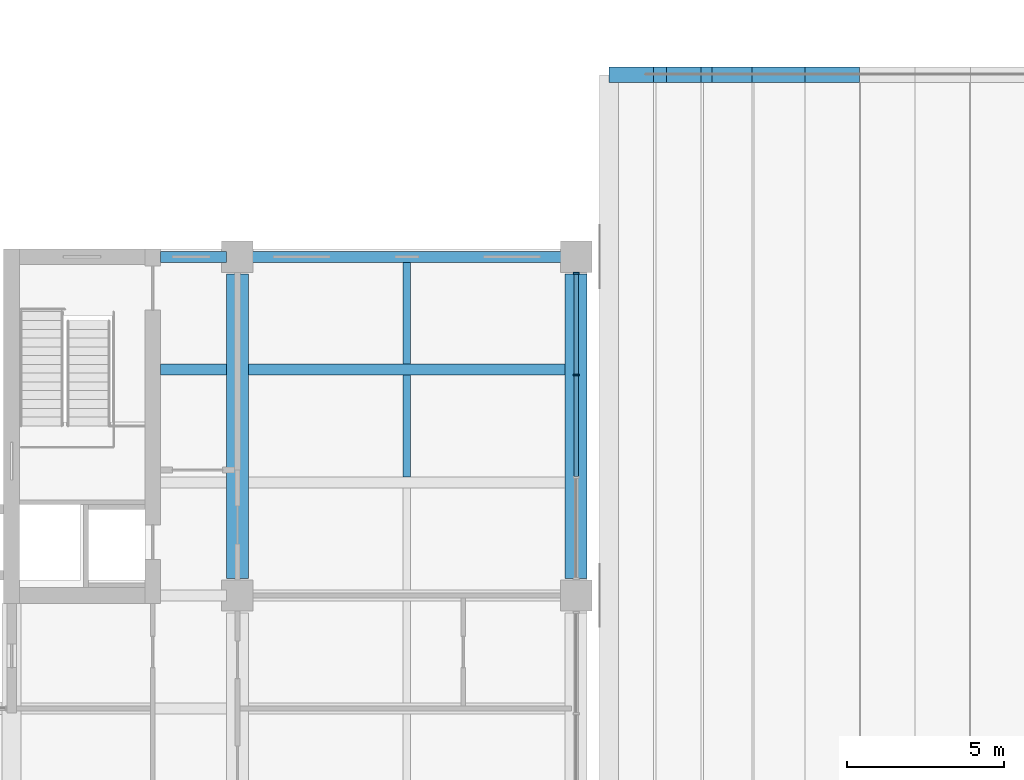
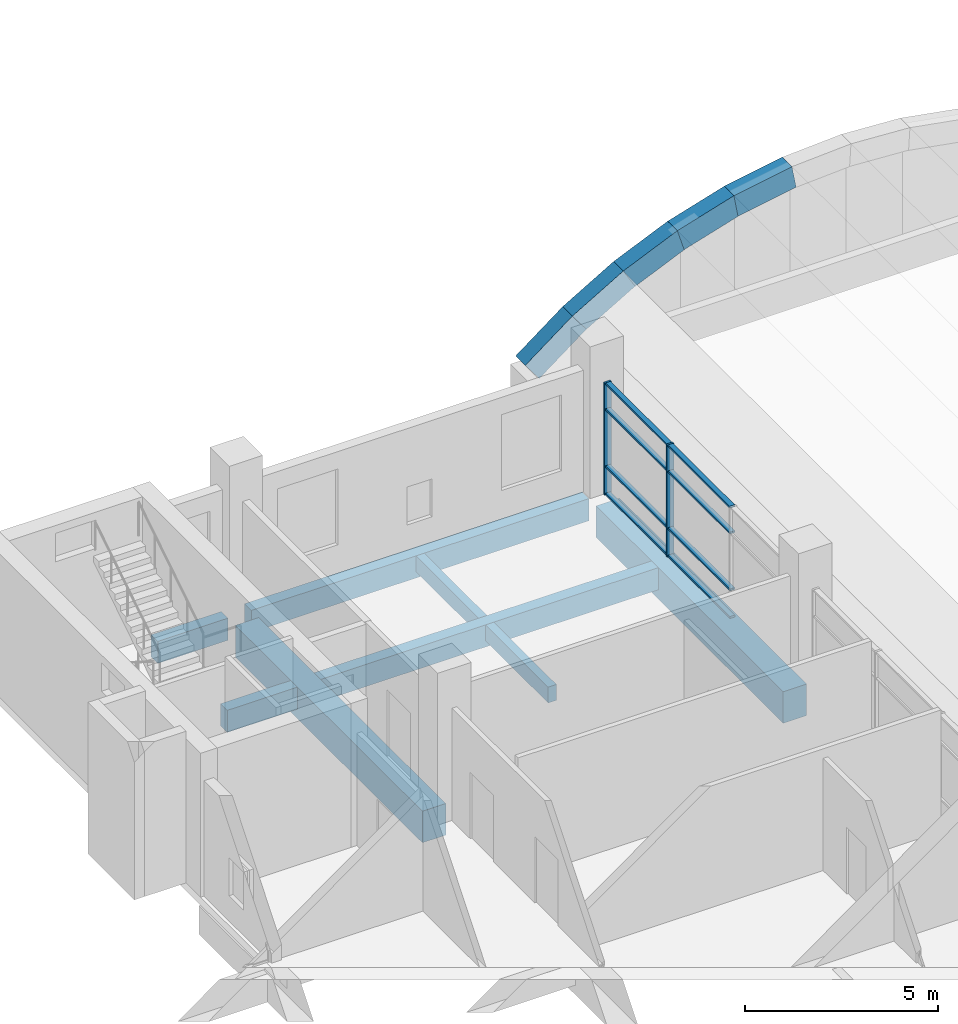
# One storey, part 21 of 45: 13 beams, 10 members, 1 element without a shape of its own.
"""IFC4 building model written with IfcOpenShell, lengths in metres."""

from ifc_helpers import new_model, si_unit, direction, frame, origin, origin_2d, place, context, subcontext, project, spatial, rectangle, extrude, material, layer, layer_set, material_profile, profile_set, type_object, element, aggregate, save


model = new_model("IFC4")

# Units and contexts
model_context = context("Model", 3, precision=1e-05, world=origin(), true_north=direction((0.0, 1.0)))
body_context = subcontext(model_context, "Body", "Model", "MODEL_VIEW")
ifc_project = project(units=[si_unit("LENGTHUNIT", "METRE"), si_unit("AREAUNIT", "SQUARE_METRE"), si_unit("VOLUMEUNIT", "CUBIC_METRE"), si_unit("PLANEANGLEUNIT", "RADIAN"), si_unit("MASSUNIT", "GRAM", prefix="KILO")], contexts=[model_context])

# Site, building, storey
site_placement = place(None, origin())
site = spatial("IfcSite", under=ifc_project, at=site_placement, CompositionType="ELEMENT")
building_placement = place(site_placement, origin())
building = spatial("IfcBuilding", under=site, at=building_placement, Name="Basin Gate Institute", CompositionType="ELEMENT")
storey_placement = place(building_placement, frame((0.0, 0.0, 22.199951171875)))
storey = spatial("IfcBuildingStorey", under=building, at=storey_placement, Name="L04", CompositionType="ELEMENT", Elevation=22.199951171875)

# Beams
ifc_material_1 = material(Name="Concrete 40 MPa", Category="concrete")
ifc_material_profile_1 = material_profile(ifc_material_1, rectangle(XDim=0.35009765625, YDim=0.699951171875, at=origin_2d()), Name="Beam B1 350 x 700")
ifc_profile_set_1 = profile_set([ifc_material_profile_1], Name="Concrete 40 MPa")
beam_type_1 = type_object("IfcBeamType", Name="Beam B1 R120", PredefinedType="BEAM", material=ifc_profile_set_1)
beam_1_placement = place(storey_placement, frame((68.75, 96.300048828125, -0.599853515625), z_axis=(1.0, 0.0, 0.0), x_axis=(0.0, 1.0, 0.0)))
element("IfcBeam", 1, at=beam_1_placement, inside=storey, type_object=beam_type_1, material=ifc_profile_set_1, Name="BEAM/L04/W/EW/18", PredefinedType="BEAM", context=body_context, shape_type="SweptSolid", body=[
    extrude(rectangle(XDim=0.35009765625, YDim=0.699951171875, at=origin_2d()), origin(), (0.0, 0.0, 1.0), 10.10009765625),
])
beam_2_placement = place(storey_placement, frame((65.949951171875, 96.300048828125, -0.599853515625), z_axis=(1.0, 0.0, 0.0), x_axis=(0.0, 1.0, 0.0)))
element("IfcBeam", 2, at=beam_2_placement, inside=storey, type_object=beam_type_1, material=ifc_profile_set_1, Name="BEAM/L04/W/CORR/18", PredefinedType="BEAM", context=body_context, shape_type="SweptSolid", body=[
    extrude(rectangle(XDim=0.35009765625, YDim=0.699951171875, at=origin_2d()), origin(), (0.0, 0.0, 1.0), 2.10009765625),
])
beam_3_placement = place(storey_placement, frame((68.75, 99.89990234375, -0.599853515625), z_axis=(1.0, 0.0, 0.0), x_axis=(0.0, 1.0, 0.0)))
element("IfcBeam", 3, at=beam_3_placement, inside=storey, type_object=beam_type_1, material=ifc_profile_set_1, Name="BEAM/L04/W/EW/19", PredefinedType="BEAM", context=body_context, shape_type="SweptSolid", body=[
    extrude(rectangle(XDim=0.35009765625, YDim=0.699951171875, at=origin_2d()), origin(), (0.0, 0.0, 1.0), 10.10009765625),
])
beam_4_placement = place(storey_placement, frame((65.949951171875, 99.89990234375, -0.599853515625), z_axis=(1.0, 0.0, 0.0), x_axis=(0.0, 1.0, 0.0)))
element("IfcBeam", 4, at=beam_4_placement, inside=storey, type_object=beam_type_1, material=ifc_profile_set_1, Name="BEAM/L04/W/CORR/19", PredefinedType="BEAM", context=body_context, shape_type="SweptSolid", body=[
    extrude(rectangle(XDim=0.35009765625, YDim=0.699951171875, at=origin_2d()), origin(), (0.0, 0.0, 1.0), 2.10009765625),
])
ifc_material_2 = material(Name="Concrete 50 MPa", Category="concrete")
ifc_material_profile_2 = material_profile(ifc_material_2, rectangle(XDim=0.699951171875, YDim=1.0, at=origin_2d()), Name="Girder G1 700 x 1000")
ifc_profile_set_2 = profile_set([ifc_material_profile_2], Name="Concrete 50 MPa")
beam_type_2 = type_object("IfcBeamType", Name="Girder G1 R120", PredefinedType="BEAM", material=ifc_profile_set_2)
for number, where, z_axis, x_axis, name in (
    (5, (68.39990234375, 89.64990234375, -0.75), (0.0, 1.0, 0.0), (-1.0, 0.0, 0.0), "GIR/L04/W5/6"),
    (6, (79.199951171875, 89.64990234375, -0.75), (0.0, 1.0, 0.0), (-1.0, 0.0, 0.0), "GIR/L04/W6/6"),
):
    element("IfcBeam", number, at=place(storey_placement, frame(where, z_axis=z_axis, x_axis=x_axis)), inside=storey, type_object=beam_type_2, material=ifc_profile_set_2, Name=name, PredefinedType="BEAM", context=body_context, shape_type="SweptSolid", body=[
        extrude(rectangle(XDim=0.699951171875, YDim=1.0, at=origin_2d()), origin(), (0.0, 0.0, 1.0), 9.7001953125),
    ])

# Curtain wall, members
ifc_material_3 = material(Name="Aluminium-framed glazing", Category="aluminium")
ifc_layer = layer(ifc_material_3, 0.199951171875)
ifc_layer_set = layer_set([ifc_layer], Name="Atrium curtain wall CW2")
curtain_wall_type = type_object("IfcCurtainWallType", Name="Atrium curtain wall CW2", PredefinedType="NOTDEFINED", material=ifc_layer_set)
curtain_wall_placement = place(storey_placement, origin())
curtain_wall = element("IfcCurtainWall", 7, at=curtain_wall_placement, inside=storey, type_object=curtain_wall_type, material=ifc_layer_set, Name="Atrium curtain wall W wing atrium bay 6 L04", PredefinedType="NOTDEFINED")
ifc_material_4 = material(Name="Aluminium", Category="aluminium")
ifc_material_profile_3 = material_profile(ifc_material_4, rectangle(XDim=0.199951171875, YDim=0.06005859375, at=origin_2d()), Name="Mullion MU2 200 x 60")
ifc_profile_set_3 = profile_set([ifc_material_profile_3], Name="Aluminium")
member_type_1 = type_object("IfcMemberType", Name="Mullion MU2", PredefinedType="MULLION", material=ifc_profile_set_3)
member_1_placement = place(storey_placement, frame((79.199951171875, 96.13330078125, 0.0), z_axis=(0.0, 0.0, 1.0), x_axis=(-1.0, 0.0, 0.0)))
member_1 = element("IfcMember", 8, at=member_1_placement, type_object=member_type_1, material=ifc_profile_set_3, Name="CW2 mullion 3", PredefinedType="MULLION", context=body_context, shape_type="SweptSolid", body=[
    extrude(rectangle(XDim=0.199951171875, YDim=0.06005859375, at=origin_2d()), origin(), (0.0, 0.0, 1.0), 3.550048828125),
])
member_2_placement = place(storey_placement, frame((79.199951171875, 99.3701171875, 0.0), z_axis=(0.0, 0.0, 1.0), x_axis=(-1.0, 0.0, 0.0)))
member_2 = element("IfcMember", 9, at=member_2_placement, type_object=member_type_1, material=ifc_profile_set_3, Name="CW2 mullion 4", PredefinedType="MULLION", context=body_context, shape_type="SweptSolid", body=[
    extrude(rectangle(XDim=0.199951171875, YDim=0.06005859375, at=origin_2d()), origin(), (0.0, 0.0, 1.0), 3.550048828125),
])

# Beams
ifc_material_5 = material(Name="Concrete 40 MPa", Category="concrete")
ifc_material_profile_4 = material_profile(ifc_material_5, rectangle(XDim=0.25, YDim=0.5, at=origin_2d()), Name="Rib R1 250 x 500")
ifc_profile_set_4 = profile_set([ifc_material_profile_4], Name="Concrete 40 MPa")
beam_type_3 = type_object("IfcBeamType", Name="Rib R1 R120", PredefinedType="JOIST", material=ifc_profile_set_4)
for number, where, z_axis, x_axis, name in (
    (10, (73.800048828125, 92.875, -0.5), (0.0, 1.0, 0.0), (-1.0, 0.0, 0.0), "BEAM/L04/W/RIB/17"),
    (11, (73.800048828125, 96.47509765625, -0.5), (0.0, 1.0, 0.0), (-1.0, 0.0, 0.0), "BEAM/L04/W/RIB/18"),
):
    element("IfcBeam", number, at=place(storey_placement, frame(where, z_axis=z_axis, x_axis=x_axis)), inside=storey, type_object=beam_type_3, material=ifc_profile_set_4, Name=name, PredefinedType="JOIST", context=body_context, shape_type="SweptSolid", body=[
        extrude(rectangle(XDim=0.25, YDim=0.5, at=origin_2d()), origin(), (0.0, 0.0, 1.0), 3.25),
    ])
ifc_material_6 = material(Name="Concrete 40 MPa", Category="concrete")
ifc_material_profile_5 = material_profile(ifc_material_6, rectangle(XDim=0.5, YDim=0.699951171875, at=origin_2d()), Name="Shell arch rib SR1 500 x 700")
ifc_profile_set_5 = profile_set([ifc_material_profile_5], Name="Concrete 40 MPa")
beam_type_4 = type_object("IfcBeamType", Name="Shell arch rib SR1 R120", PredefinedType="BEAM", material=ifc_profile_set_5)
beam_5_placement = place(storey_placement, frame((80.4609375, 105.699951171875, -0.279052734375), z_axis=(0.796941083787, 0.0, 0.604057041158), x_axis=(0.0, 1.0, 0.0)))
element("IfcBeam", 12, at=beam_5_placement, inside=storey, type_object=beam_type_4, material=ifc_profile_set_5, Name="Atrium shell end rib 2 segment 1", PredefinedType="BEAM", context=body_context, shape_type="SweptSolid", body=[
    extrude(rectangle(XDim=0.5, YDim=0.699951171875, at=origin_2d()), origin(), (0.0, 0.0, 1.0), 1.768310546875),
])
beam_6_placement = place(storey_placement, frame((81.8359375, 105.699951171875, 0.76611328125), z_axis=(0.862700047675, 0.0, 0.505715955593), x_axis=(0.0, 1.0, 0.0)))
element("IfcBeam", 13, at=beam_6_placement, inside=storey, type_object=beam_type_4, material=ifc_profile_set_5, Name="Atrium shell end rib 2 segment 2", PredefinedType="BEAM", context=body_context, shape_type="SweptSolid", body=[
    extrude(rectangle(XDim=0.5, YDim=0.699951171875, at=origin_2d()), origin(), (0.0, 0.0, 1.0), 1.767822265625),
])
beam_7_placement = place(storey_placement, frame((83.323974609375, 105.699951171875, 1.64111328125), z_axis=(0.916030487787, 0.0, 0.401108645436), x_axis=(0.0, 1.0, 0.0)))
element("IfcBeam", 14, at=beam_7_placement, inside=storey, type_object=beam_type_4, material=ifc_profile_set_5, Name="Atrium shell end rib 2 segment 3", PredefinedType="BEAM", context=body_context, shape_type="SweptSolid", body=[
    extrude(rectangle(XDim=0.5, YDim=0.699951171875, at=origin_2d()), origin(), (0.0, 0.0, 1.0), 1.767578125),
])
beam_8_placement = place(storey_placement, frame((84.905029296875, 105.699951171875, 2.3359375), z_axis=(0.956794187978, 0.0, 0.290766025957), x_axis=(0.0, 1.0, 0.0)))
element("IfcBeam", 15, at=beam_8_placement, inside=storey, type_object=beam_type_4, material=ifc_profile_set_5, Name="Atrium shell end rib 2 segment 4", PredefinedType="BEAM", context=body_context, shape_type="SweptSolid", body=[
    extrude(rectangle(XDim=0.5, YDim=0.699951171875, at=origin_2d()), origin(), (0.0, 0.0, 1.0), 1.768310546875),
])
beam_9_placement = place(storey_placement, frame((86.556884765625, 105.699951171875, 2.840087890625), z_axis=(0.984400250243, 0.0, 0.175943591303), x_axis=(0.0, 1.0, 0.0)))
element("IfcBeam", 16, at=beam_9_placement, inside=storey, type_object=beam_type_4, material=ifc_profile_set_5, Name="Atrium shell end rib 2 segment 5", PredefinedType="BEAM", context=body_context, shape_type="SweptSolid", body=[
    extrude(rectangle(XDim=0.5, YDim=0.699951171875, at=origin_2d()), origin(), (0.0, 0.0, 1.0), 1.767822265625),
])

# Member
ifc_material_7 = material(Name="Aluminium", Category="aluminium")
ifc_material_profile_6 = material_profile(ifc_material_7, rectangle(XDim=0.14990234375, YDim=0.06005859375, at=origin_2d()), Name="Transom TR2 150 x 60")
ifc_profile_set_6 = profile_set([ifc_material_profile_6], Name="Aluminium")
member_type_2 = type_object("IfcMemberType", Name="Transom TR2", PredefinedType="USERDEFINED", material=ifc_profile_set_6)
member_3_placement = place(storey_placement, frame((79.199951171875, 92.896728515625, 0.030029296875), z_axis=(0.0, 1.0, 0.0), x_axis=(-1.0, 0.0, 0.0)))
member_3 = element("IfcMember", 17, at=member_3_placement, type_object=member_type_2, material=ifc_profile_set_6, Name="CW2 transom 2.1", ObjectType="TRANSOM", PredefinedType="USERDEFINED", context=body_context, shape_type="SweptSolid", body=[
    extrude(rectangle(XDim=0.14990234375, YDim=0.06005859375, at=origin_2d()), origin(), (0.0, 0.0, 1.0), 3.20654296875),
])

member_4_placement = place(storey_placement, frame((79.199951171875, 92.896728515625, 0.900146484375), z_axis=(0.0, 1.0, 0.0), x_axis=(-1.0, 0.0, 0.0)))
member_4 = element("IfcMember", 18, at=member_4_placement, type_object=member_type_2, material=ifc_profile_set_6, Name="CW2 transom 2.2", ObjectType="TRANSOM", PredefinedType="USERDEFINED", context=body_context, shape_type="SweptSolid", body=[
    extrude(rectangle(XDim=0.14990234375, YDim=0.06005859375, at=origin_2d()), origin(), (0.0, 0.0, 1.0), 3.20654296875),
])

member_5_placement = place(storey_placement, frame((79.199951171875, 92.896728515625, 2.699951171875), z_axis=(0.0, 1.0, 0.0), x_axis=(-1.0, 0.0, 0.0)))
member_5 = element("IfcMember", 19, at=member_5_placement, type_object=member_type_2, material=ifc_profile_set_6, Name="CW2 transom 2.3", ObjectType="TRANSOM", PredefinedType="USERDEFINED", context=body_context, shape_type="SweptSolid", body=[
    extrude(rectangle(XDim=0.14990234375, YDim=0.06005859375, at=origin_2d()), origin(), (0.0, 0.0, 1.0), 3.20654296875),
])

member_6_placement = place(storey_placement, frame((79.199951171875, 92.896728515625, 3.52001953125), z_axis=(0.0, 1.0, 0.0), x_axis=(-1.0, 0.0, 0.0)))
member_6 = element("IfcMember", 20, at=member_6_placement, type_object=member_type_2, material=ifc_profile_set_6, Name="CW2 transom 2.4", ObjectType="TRANSOM", PredefinedType="USERDEFINED", context=body_context, shape_type="SweptSolid", body=[
    extrude(rectangle(XDim=0.14990234375, YDim=0.06005859375, at=origin_2d()), origin(), (0.0, 0.0, 1.0), 3.20654296875),
])

member_7_placement = place(storey_placement, frame((79.199951171875, 96.163330078125, 0.030029296875), z_axis=(0.0, 1.0, 0.0), x_axis=(-1.0, 0.0, 0.0)))
member_7 = element("IfcMember", 21, at=member_7_placement, type_object=member_type_2, material=ifc_profile_set_6, Name="CW2 transom 3.1", ObjectType="TRANSOM", PredefinedType="USERDEFINED", context=body_context, shape_type="SweptSolid", body=[
    extrude(rectangle(XDim=0.14990234375, YDim=0.06005859375, at=origin_2d()), origin(), (0.0, 0.0, 1.0), 3.1767578125),
])

member_8_placement = place(storey_placement, frame((79.199951171875, 96.163330078125, 0.900146484375), z_axis=(0.0, 1.0, 0.0), x_axis=(-1.0, 0.0, 0.0)))
member_8 = element("IfcMember", 22, at=member_8_placement, type_object=member_type_2, material=ifc_profile_set_6, Name="CW2 transom 3.2", ObjectType="TRANSOM", PredefinedType="USERDEFINED", context=body_context, shape_type="SweptSolid", body=[
    extrude(rectangle(XDim=0.14990234375, YDim=0.06005859375, at=origin_2d()), origin(), (0.0, 0.0, 1.0), 3.1767578125),
])

member_9_placement = place(storey_placement, frame((79.199951171875, 96.163330078125, 2.699951171875), z_axis=(0.0, 1.0, 0.0), x_axis=(-1.0, 0.0, 0.0)))
member_9 = element("IfcMember", 23, at=member_9_placement, type_object=member_type_2, material=ifc_profile_set_6, Name="CW2 transom 3.3", ObjectType="TRANSOM", PredefinedType="USERDEFINED", context=body_context, shape_type="SweptSolid", body=[
    extrude(rectangle(XDim=0.14990234375, YDim=0.06005859375, at=origin_2d()), origin(), (0.0, 0.0, 1.0), 3.1767578125),
])

member_10_placement = place(storey_placement, frame((79.199951171875, 96.163330078125, 3.52001953125), z_axis=(0.0, 1.0, 0.0), x_axis=(-1.0, 0.0, 0.0)))
member_10 = element("IfcMember", 24, at=member_10_placement, type_object=member_type_2, material=ifc_profile_set_6, Name="CW2 transom 3.4", ObjectType="TRANSOM", PredefinedType="USERDEFINED", context=body_context, shape_type="SweptSolid", body=[
    extrude(rectangle(XDim=0.14990234375, YDim=0.06005859375, at=origin_2d()), origin(), (0.0, 0.0, 1.0), 3.1767578125),
])

aggregate(curtain_wall, [member_1, member_2, member_3, member_4, member_5, member_6, member_7, member_8, member_9, member_10])

save(model, "model.ifc")
